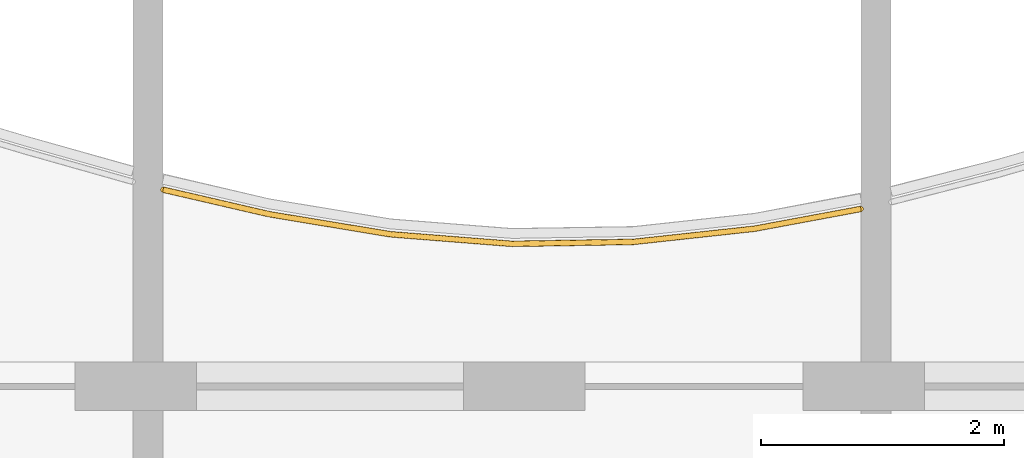
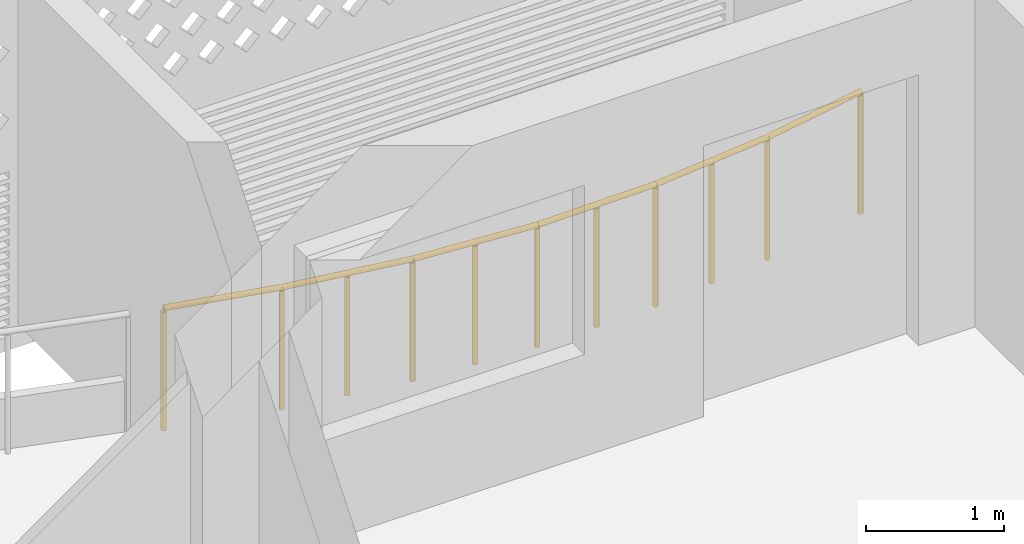
# One storey, part 23 of 26: 1 railing.
"""IFC4 building model written with IfcOpenShell, lengths in metres."""

from ifc_helpers import new_model, si_unit, direction, frame, origin, origin_2d, place, context, subcontext, project, spatial, circle, extrude, material, type_object, element, save


model = new_model("IFC4")

# Units and contexts
model_context = context("Model", 3, precision=1e-05, world=origin(), true_north=direction((0.0, 1.0)))
body_context = subcontext(model_context, "Body", "Model", "MODEL_VIEW")
ifc_project = project(units=[si_unit("LENGTHUNIT", "METRE"), si_unit("AREAUNIT", "SQUARE_METRE"), si_unit("VOLUMEUNIT", "CUBIC_METRE"), si_unit("PLANEANGLEUNIT", "RADIAN"), si_unit("MASSUNIT", "GRAM", prefix="KILO")], contexts=[model_context])

# Site, building, storey
site_placement = place(None, origin())
site = spatial("IfcSite", under=ifc_project, at=site_placement, CompositionType="ELEMENT")
building_placement = place(site_placement, origin())
building = spatial("IfcBuilding", under=site, at=building_placement, Name="Poui Terraces", CompositionType="ELEMENT")
storey_placement = place(building_placement, frame((0.0, 0.0, 224.699951171875)))
storey = spatial("IfcBuildingStorey", under=building, at=storey_placement, Name="L62", CompositionType="ELEMENT", Elevation=224.699951171875)

# Railing
ifc_material = material(Name="Painted steel fretwork", Category="steel")
railing_type = type_object("IfcRailingType", Name="BALCONY GUARD 1100", PredefinedType="GUARDRAIL", material=ifc_material)
railing_placement = place(storey_placement, frame((66.125, 42.82177734375, 0.0)))
element("IfcRailing", 1, at=railing_placement, inside=storey, type_object=railing_type, Name="BALCONY GUARD", PredefinedType="GUARDRAIL", context=body_context, shape_type="SweptSolid", body=[
    extrude(circle(Radius=0.02392578125, at=origin_2d()), frame((0.0, 0.0, 1.076171875), z_axis=(0.974276529724, -0.225355815609, 0.0), x_axis=(0.225355815609, 0.974276529724, 0.0)), (0.0, 0.0, 1.0), 0.898193359375),
    extrude(circle(Radius=0.02392578125, at=origin_2d()), frame((0.875, -0.202392578125, 1.076171875), z_axis=(0.986614372238, -0.163070783693, 0.0), x_axis=(0.163070783693, 0.986614372238, 0.0)), (0.0, 0.0, 1.0), 1.013671875),
    extrude(circle(Radius=0.02392578125, at=origin_2d()), frame((1.875, -0.36767578125, 1.076171875), z_axis=(0.996905179889, -0.07861337234, 0.0), x_axis=(0.07861337234, 0.996905179889, 0.0)), (0.0, 0.0, 1.0), 1.003173828125),
    extrude(circle(Radius=0.02392578125, at=origin_2d()), frame((2.875, -0.446533203125, 1.076171875), z_axis=(0.999870206358, 0.016111189849, 0.0), x_axis=(-0.016111189849, 0.999870206358, 0.0)), (0.0, 0.0, 1.0), 1.000244140625),
    extrude(circle(Radius=0.02392578125, at=origin_2d()), frame((3.875, -0.430419921875, 1.076171875), z_axis=(0.994124040351, 0.108246904784, 0.0), x_axis=(-0.108246904784, 0.994124040351, 0.0)), (0.0, 0.0, 1.0), 1.005859375),
    extrude(circle(Radius=0.02392578125, at=origin_2d()), frame((4.875, -0.321533203125, 1.076171875), z_axis=(0.983119723729, 0.182963408406, 0.0), x_axis=(-0.182963408406, 0.983119723729, 0.0)), (0.0, 0.0, 1.0), 0.89013671875),
    extrude(circle(Radius=0.02099609375, at=origin_2d()), origin(), (0.0, 0.0, 1.0), 1.052001953125),
    extrude(circle(Radius=0.02099609375, at=origin_2d()), frame((0.875, -0.202392578125, 0.0)), (0.0, 0.0, 1.0), 1.052001953125),
    extrude(circle(Radius=0.02099609375, at=origin_2d()), frame((1.375, -0.28515625, 0.0)), (0.0, 0.0, 1.0), 1.052001953125),
    extrude(circle(Radius=0.02099609375, at=origin_2d()), frame((1.875, -0.36767578125, 0.0)), (0.0, 0.0, 1.0), 1.052001953125),
    extrude(circle(Radius=0.02099609375, at=origin_2d()), frame((2.375, -0.4072265625, 0.0)), (0.0, 0.0, 1.0), 1.052001953125),
    extrude(circle(Radius=0.02099609375, at=origin_2d()), frame((2.875, -0.446533203125, 0.0)), (0.0, 0.0, 1.0), 1.052001953125),
    extrude(circle(Radius=0.02099609375, at=origin_2d()), frame((3.375, -0.4384765625, 0.0)), (0.0, 0.0, 1.0), 1.052001953125),
    extrude(circle(Radius=0.02099609375, at=origin_2d()), frame((3.875, -0.430419921875, 0.0)), (0.0, 0.0, 1.0), 1.052001953125),
    extrude(circle(Radius=0.02099609375, at=origin_2d()), frame((4.375, -0.3759765625, 0.0)), (0.0, 0.0, 1.0), 1.052001953125),
    extrude(circle(Radius=0.02099609375, at=origin_2d()), frame((4.875, -0.321533203125, 0.0)), (0.0, 0.0, 1.0), 1.052001953125),
    extrude(circle(Radius=0.02099609375, at=origin_2d()), frame((5.75, -0.15869140625, 0.0)), (0.0, 0.0, 1.0), 1.052001953125),
])

save(model, "model.ifc")
